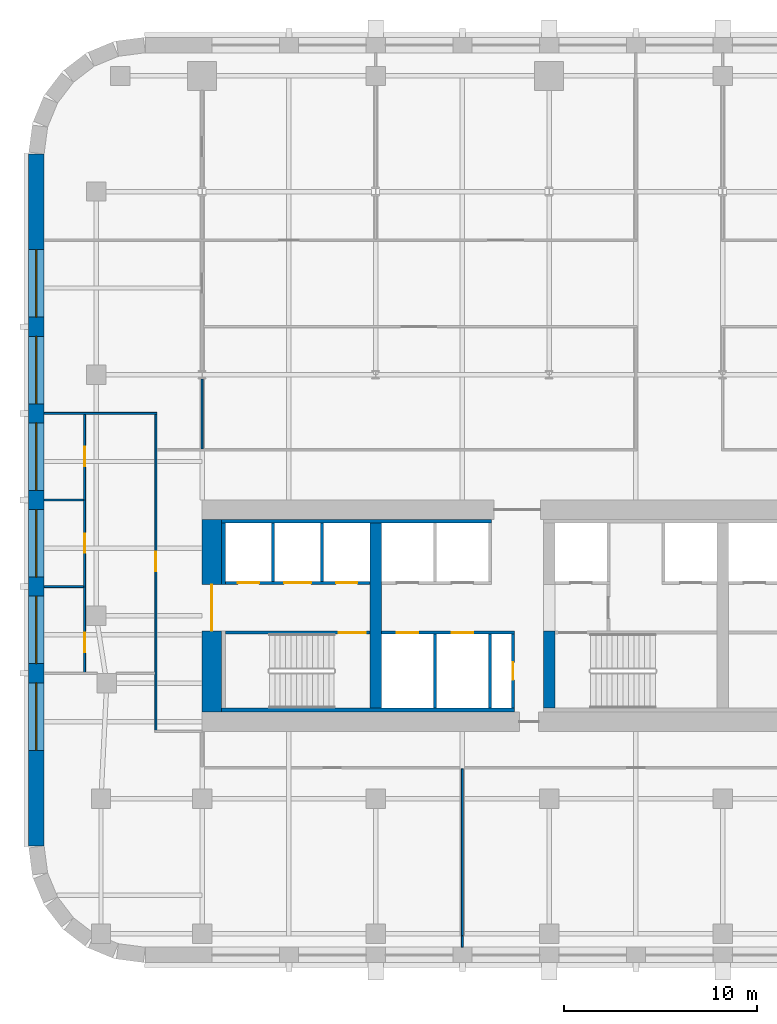
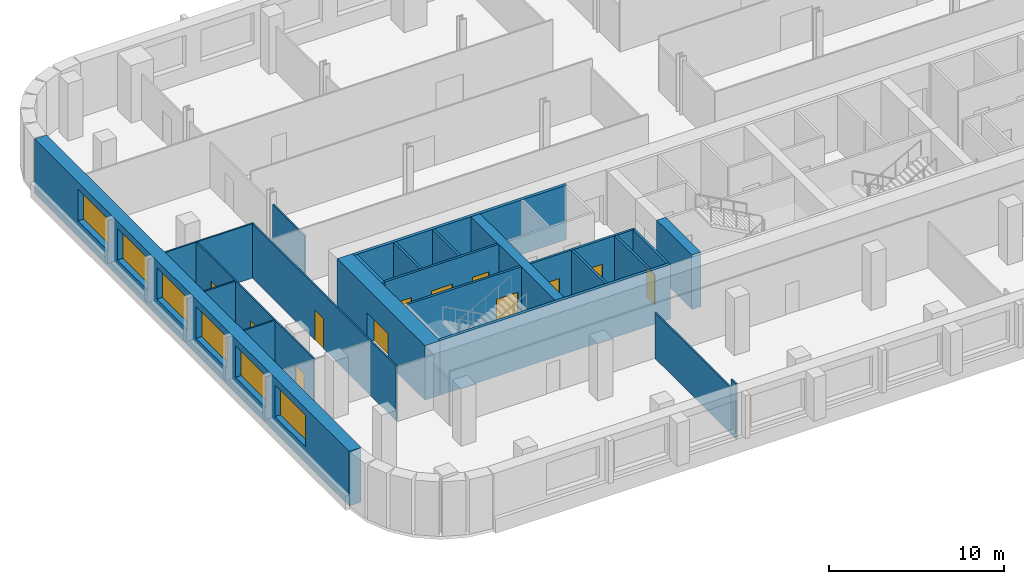
# One storey, part 3 of 10: 23 walls, 12 doors, 6 windows, 18 openings.
"""IFC4 building model written with IfcOpenShell, lengths in metres."""

from ifc_helpers import new_model, si_unit, direction, frame, frame_2d, origin, place, context, subcontext, project, spatial, rectangle, extrude, material, layer, layer_set, type_object, element, fill, save


model = new_model("IFC4")

# Units and contexts
model_context = context("Model", 3, precision=1e-05, world=origin(), true_north=direction((0.0, 1.0)))
body_context = subcontext(model_context, "Body", "Model", "MODEL_VIEW")
ifc_project = project(units=[si_unit("LENGTHUNIT", "METRE"), si_unit("AREAUNIT", "SQUARE_METRE"), si_unit("VOLUMEUNIT", "CUBIC_METRE"), si_unit("PLANEANGLEUNIT", "RADIAN"), si_unit("MASSUNIT", "GRAM", prefix="KILO")], contexts=[model_context])

# Site, building, storey
site_placement = place(None, origin())
site = spatial("IfcSite", under=ifc_project, at=site_placement, CompositionType="ELEMENT")
building_placement = place(site_placement, origin())
building = spatial("IfcBuilding", under=site, at=building_placement, Name="Zellij Exchange Tower", CompositionType="ELEMENT")
storey_placement = place(building_placement, frame((0.0, 0.0, 124.5)))
storey = spatial("IfcBuildingStorey", under=building, at=storey_placement, Name="L27", CompositionType="ELEMENT", Elevation=124.5)

# Walls
ifc_material_1 = material(Name="Concrete C70/85", Category="concrete")
ifc_layer_1 = layer(ifc_material_1, 0.60009765625)
ifc_layer_set_1 = layer_set([ifc_layer_1], Name="Concrete C70/85")
wall_type_1 = type_object("IfcWallType", Name="CORE-CW 600 C70/85", PredefinedType="SHEAR", material=ifc_layer_set_1)
wall_1_placement = place(storey_placement, frame((-18.0, -12.800048828125, 0.0), z_axis=(0.0, 0.0, 1.0), x_axis=(0.0, 1.0, 0.0)))
element("IfcWall", 1, at=wall_1_placement, inside=storey, type_object=wall_type_1, Name="Core cross wall x -18 L27", PredefinedType="SHEAR", context=body_context, shape_type="SweptSolid", body=[
    extrude(rectangle(XDim=9.60009765625, YDim=0.60009765625, at=frame_2d((4.800048828125, 0.0))), origin(), (0.0, 0.0, 1.0), 3.800048828125),
])
wall_2_placement = place(storey_placement, frame((-9.0, -12.800048828125, 0.0), z_axis=(0.0, 0.0, 1.0), x_axis=(0.0, 1.0, 0.0)))
element("IfcWall", 2, at=wall_2_placement, inside=storey, type_object=wall_type_1, Name="Core cross wall pier x -9 a L27", PredefinedType="SHEAR", context=body_context, shape_type="SweptSolid", body=[
    extrude(rectangle(XDim=4.0, YDim=0.60009765625, at=frame_2d((2.0, 0.0))), origin(), (0.0, 0.0, 1.0), 3.800048828125),
])
ifc_material_2 = material(Name="Concrete C30/37", Category="concrete")
ifc_layer_2 = layer(ifc_material_2, 0.199951171875)
ifc_layer_set_2 = layer_set([ifc_layer_2], Name="Concrete C30/37")
wall_type_2 = type_object("IfcWallType", Name="CORE-LW 200 C30/37", PredefinedType="SHEAR", material=ifc_layer_set_2)
wall_3_placement = place(storey_placement, frame((-26.0, -3.10009765625, 0.0), z_axis=(0.0, 0.0, 1.0), x_axis=(1.0, 0.0, 0.0)))
element("IfcWall", 3, at=wall_3_placement, inside=storey, type_object=wall_type_2, Name="Core wall lining front.0 L27", PredefinedType="SHEAR", context=body_context, shape_type="SweptSolid", body=[
    extrude(rectangle(XDim=14.0, YDim=0.199951171875, at=frame_2d((7.0, 0.0))), origin(), (0.0, 0.0, 1.0), 3.800048828125),
])
wall_4_placement = place(storey_placement, frame((-26.0, -12.89990234375, 0.0), z_axis=(0.0, 0.0, 1.0), x_axis=(1.0, 0.0, 0.0)))
element("IfcWall", 4, at=wall_4_placement, inside=storey, type_object=wall_type_2, Name="Core wall lining rear.0 L27", PredefinedType="SHEAR", context=body_context, shape_type="SweptSolid", body=[
    extrude(rectangle(XDim=15.199951171875, YDim=0.199951171875, at=frame_2d((7.60009765625, 0.0))), origin(), (0.0, 0.0, 1.0), 3.800048828125),
])
wall_5_placement = place(storey_placement, frame((-25.89990234375, -6.375, 0.0), z_axis=(0.0, 0.0, 1.0), x_axis=(0.0, 1.0, 0.0)))
element("IfcWall", 5, at=wall_5_placement, inside=storey, type_object=wall_type_2, Name="Core wall lining end w.1 L27", PredefinedType="SHEAR", context=body_context, shape_type="SweptSolid", body=[
    extrude(rectangle(XDim=3.175048828125, YDim=0.199951171875, at=frame_2d((1.58740234375, 0.0))), origin(), (0.0, 0.0, 1.0), 3.800048828125),
])

# Wall, opening, door
ifc_material_3 = material(Name="Gypsum board partition")
ifc_layer_3 = layer(ifc_material_3, 0.14990234375)
ifc_layer_set_3 = layer_set([ifc_layer_3], Name="Gypsum board partition")
wall_type_3 = type_object("IfcWallType", Name="CORE-PW 150 Lift lobby wall", PredefinedType="PARTITIONING", material=ifc_layer_set_3)
wall_6_placement = place(storey_placement, frame((-10.875, -12.800048828125, 0.0), z_axis=(0.0, 0.0, 1.0), x_axis=(0.0, 1.0, 0.0)))
wall_6 = element("IfcWall", 6, at=wall_6_placement, inside=storey, type_object=wall_type_3, Name="Lift lobby wall L27", PredefinedType="PARTITIONING", context=body_context, shape_type="SweptSolid", body=[
    extrude(rectangle(XDim=3.85009765625, YDim=0.14990234375, at=frame_2d((1.925048828125, 0.0))), origin(), (0.0, 0.0, 1.0), 3.800048828125),
])
opening_1_placement = place(wall_6_placement, frame((1.47509765625, 0.0, 0.0)))
opening_1 = element("IfcOpeningElement", 7, at=opening_1_placement, cuts=wall_6, Name="Opening CA-15.10", PredefinedType="OPENING", context=body_context, shape_type="SweptSolid", body=[
    extrude(rectangle(XDim=0.89990234375, YDim=2.10009765625, at=frame_2d((0.449951171875, 1.050048828125))), frame((0.0, 0.0869140625, 0.0), z_axis=(0.0, -1.0, 0.0), x_axis=(1.0, 0.0, 0.0)), (0.0, 0.0, 1.0), 0.173828125),
])
ifc_material_4 = material(Name="Hollow metal fire door")
door_type_1 = type_object("IfcDoorType", Name="CORE-D RD Riser door 900x2100 1.5 HR", OperationType="NOTDEFINED", PredefinedType="DOOR", material=ifc_material_4)
door_1_placement = place(opening_1_placement, origin())
door_1 = element("IfcDoor", 8, at=door_1_placement, inside=storey, type_object=door_type_1, Name="Riser door CA-15.10", OperationType="SINGLE_SWING_RIGHT", OverallHeight=2.10009765625, OverallWidth=0.89990234375, PredefinedType="DOOR", context=body_context, shape_type="SweptSolid", body=[
    extrude(rectangle(XDim=0.89990234375, YDim=2.10009765625, at=frame_2d((0.449951171875, 1.050048828125))), frame((0.0, 0.02490234375, 0.0), z_axis=(0.0, -1.0, 0.0), x_axis=(1.0, 0.0, 0.0)), (0.0, 0.0, 1.0), 0.050048828125),
])
fill(opening_1, door_1)

# Walls
ifc_material_5 = material(Name="Gypsum shaft wall system")
ifc_layer_4 = layer(ifc_material_5, 0.14990234375)
ifc_layer_set_4 = layer_set([ifc_layer_4], Name="Gypsum shaft wall system")
wall_type_4 = type_object("IfcWallType", Name="CORE-PW 150 Lift shaft wall", PredefinedType="PARTITIONING", material=ifc_layer_set_4)
for number, where, z_axis, x_axis, name in (
    (9, (-20.77490234375, -6.22509765625, 0.0), (0.0, 0.0, 1.0), (0.0, 1.0, 0.0), "Lift shaft wall L27"),
    (10, (-23.324951171875, -6.22509765625, 0.0), (0.0, 0.0, 1.0), (0.0, 1.0, 0.0), "Lift shaft wall L27"),
):
    element("IfcWall", number, at=place(storey_placement, frame(where, z_axis=z_axis, x_axis=x_axis)), inside=storey, type_object=wall_type_4, Name=name, PredefinedType="PARTITIONING", context=body_context, shape_type="SweptSolid", body=[
        extrude(rectangle(XDim=3.025146484375, YDim=0.14990234375, at=frame_2d((1.5126953125, 0.0))), origin(), (0.0, 0.0, 1.0), 3.800048828125),
    ])
for number, where, z_axis, x_axis, name in (
    (11, (-12.074951171875, -12.800048828125, 0.0), (0.0, 0.0, 1.0), (0.0, 1.0, 0.0), "Lift shaft wall L27"),
    (12, (-14.925048828125, -12.800048828125, 0.0), (0.0, 0.0, 1.0), (0.0, 1.0, 0.0), "Lift shaft wall L27"),
):
    element("IfcWall", number, at=place(storey_placement, frame(where, z_axis=z_axis, x_axis=x_axis)), inside=storey, type_object=wall_type_4, Name=name, PredefinedType="PARTITIONING", context=body_context, shape_type="SweptSolid", body=[
        extrude(rectangle(XDim=3.85009765625, YDim=0.14990234375, at=frame_2d((1.925048828125, 0.0))), origin(), (0.0, 0.0, 1.0), 3.800048828125),
    ])

# Wall, openings, doors
wall_7_placement = place(storey_placement, frame((-25.800048828125, -6.300048828125, 0.0), z_axis=(0.0, 0.0, 1.0), x_axis=(1.0, 0.0, 0.0)))
wall_7 = element("IfcWall", 13, at=wall_7_placement, inside=storey, type_object=wall_type_4, Name="Lift shaft wall L27", PredefinedType="PARTITIONING", context=body_context, shape_type="SweptSolid", body=[
    extrude(rectangle(XDim=7.5, YDim=0.14990234375, at=frame_2d((3.75, 0.0))), origin(), (0.0, 0.0, 1.0), 3.800048828125),
])
opening_2_placement = place(wall_7_placement, frame((0.64990234375, 0.0, 0.0)))
opening_2 = element("IfcOpeningElement", 14, at=opening_2_placement, cuts=wall_7, Name="Opening CA-15.02", PredefinedType="OPENING", context=body_context, shape_type="SweptSolid", body=[
    extrude(rectangle(XDim=1.10009765625, YDim=2.10009765625, at=frame_2d((0.550048828125, 1.050048828125))), frame((0.0, 0.0869140625, 0.0), z_axis=(0.0, -1.0, 0.0), x_axis=(1.0, 0.0, 0.0)), (0.0, 0.0, 1.0), 0.173828125),
])
opening_3_placement = place(wall_7_placement, frame((3.050048828125, 0.0, 0.0)))
opening_3 = element("IfcOpeningElement", 15, at=opening_3_placement, cuts=wall_7, Name="Opening CA-15.03", PredefinedType="OPENING", context=body_context, shape_type="SweptSolid", body=[
    extrude(rectangle(XDim=1.39990234375, YDim=2.10009765625, at=frame_2d((0.699951171875, 1.050048828125))), frame((0.0, 0.0869140625, 0.0), z_axis=(0.0, -1.0, 0.0), x_axis=(1.0, 0.0, 0.0)), (0.0, 0.0, 1.0), 0.173828125),
])
opening_4_placement = place(wall_7_placement, frame((5.75, 0.0, 0.0)))
opening_4 = element("IfcOpeningElement", 16, at=opening_4_placement, cuts=wall_7, Name="Opening CA-15.04", PredefinedType="OPENING", context=body_context, shape_type="SweptSolid", body=[
    extrude(rectangle(XDim=1.10009765625, YDim=2.10009765625, at=frame_2d((0.550048828125, 1.050048828125))), frame((0.0, 0.0869140625, 0.0), z_axis=(0.0, -1.0, 0.0), x_axis=(1.0, 0.0, 0.0)), (0.0, 0.0, 1.0), 0.173828125),
])
door_type_2 = type_object("IfcDoorType", Name="CORE-D LD Lift landing door 1100x2100 1.5 HR", OperationType="NOTDEFINED", PredefinedType="DOOR", material=ifc_material_4)
door_2_placement = place(opening_2_placement, origin())
door_2 = element("IfcDoor", 17, at=door_2_placement, inside=storey, type_object=door_type_2, Name="Lift landing door CA-15.02", OperationType="SLIDING_TO_RIGHT", OverallHeight=2.10009765625, OverallWidth=1.10009765625, PredefinedType="DOOR", context=body_context, shape_type="SweptSolid", body=[
    extrude(rectangle(XDim=1.10009765625, YDim=2.10009765625, at=frame_2d((0.550048828125, 1.050048828125))), frame((0.0, 0.02490234375, 0.0), z_axis=(0.0, -1.0, 0.0), x_axis=(1.0, 0.0, 0.0)), (0.0, 0.0, 1.0), 0.050048828125),
])
fill(opening_2, door_2)
door_3_placement = place(opening_4_placement, origin())
door_3 = element("IfcDoor", 18, at=door_3_placement, inside=storey, type_object=door_type_2, Name="Lift landing door CA-15.04", OperationType="SLIDING_TO_RIGHT", OverallHeight=2.10009765625, OverallWidth=1.10009765625, PredefinedType="DOOR", context=body_context, shape_type="SweptSolid", body=[
    extrude(rectangle(XDim=1.10009765625, YDim=2.10009765625, at=frame_2d((0.550048828125, 1.050048828125))), frame((0.0, 0.02490234375, 0.0), z_axis=(0.0, -1.0, 0.0), x_axis=(1.0, 0.0, 0.0)), (0.0, 0.0, 1.0), 0.050048828125),
])
fill(opening_4, door_3)
door_type_3 = type_object("IfcDoorType", Name="CORE-D LD2 Service lift landing door 1400x2100 1.5 HR", OperationType="NOTDEFINED", PredefinedType="DOOR", material=ifc_material_4)
door_4_placement = place(opening_3_placement, origin())
door_4 = element("IfcDoor", 19, at=door_4_placement, inside=storey, type_object=door_type_3, Name="Service lift landing door CA-15.03", OperationType="SLIDING_TO_LEFT", OverallHeight=2.10009765625, OverallWidth=1.39990234375, PredefinedType="DOOR", context=body_context, shape_type="SweptSolid", body=[
    extrude(rectangle(XDim=1.39990234375, YDim=2.10009765625, at=frame_2d((0.699951171875, 1.050048828125))), frame((0.0, 0.02490234375, 0.0), z_axis=(0.0, -1.0, 0.0), x_axis=(1.0, 0.0, 0.0)), (0.0, 0.0, 1.0), 0.050048828125),
])
fill(opening_3, door_4)

wall_8_placement = place(storey_placement, frame((-17.699951171875, -8.875, 0.0), z_axis=(0.0, 0.0, 1.0), x_axis=(1.0, 0.0, 0.0)))
wall_8 = element("IfcWall", 20, at=wall_8_placement, inside=storey, type_object=wall_type_4, Name="Lift shaft wall L27", PredefinedType="PARTITIONING", context=body_context, shape_type="SweptSolid", body=[
    extrude(rectangle(XDim=6.89990234375, YDim=0.14990234375, at=frame_2d((3.449951171875, 0.0))), origin(), (0.0, 0.0, 1.0), 3.800048828125),
])
opening_5_placement = place(wall_8_placement, frame((0.800048828125, 0.0, 0.0)))
opening_5 = element("IfcOpeningElement", 21, at=opening_5_placement, cuts=wall_8, Name="Opening CA-15.06", PredefinedType="OPENING", context=body_context, shape_type="SweptSolid", body=[
    extrude(rectangle(XDim=1.10009765625, YDim=2.10009765625, at=frame_2d((0.550048828125, 1.050048828125))), frame((0.0, 0.0869140625, 0.0), z_axis=(0.0, -1.0, 0.0), x_axis=(1.0, 0.0, 0.0)), (0.0, 0.0, 1.0), 0.173828125),
])
opening_6_placement = place(wall_8_placement, frame((3.64990234375, 0.0, 0.0)))
opening_6 = element("IfcOpeningElement", 22, at=opening_6_placement, cuts=wall_8, Name="Opening CA-15.08", PredefinedType="OPENING", context=body_context, shape_type="SweptSolid", body=[
    extrude(rectangle(XDim=1.10009765625, YDim=2.10009765625, at=frame_2d((0.550048828125, 1.050048828125))), frame((0.0, 0.0869140625, 0.0), z_axis=(0.0, -1.0, 0.0), x_axis=(1.0, 0.0, 0.0)), (0.0, 0.0, 1.0), 0.173828125),
])
door_5_placement = place(opening_5_placement, origin())
door_5 = element("IfcDoor", 23, at=door_5_placement, inside=storey, type_object=door_type_2, Name="Lift landing door CA-15.06", OperationType="SLIDING_TO_RIGHT", OverallHeight=2.10009765625, OverallWidth=1.10009765625, PredefinedType="DOOR", context=body_context, shape_type="SweptSolid", body=[
    extrude(rectangle(XDim=1.10009765625, YDim=2.10009765625, at=frame_2d((0.550048828125, 1.050048828125))), frame((0.0, 0.02490234375, 0.0), z_axis=(0.0, -1.0, 0.0), x_axis=(1.0, 0.0, 0.0)), (0.0, 0.0, 1.0), 0.050048828125),
])
fill(opening_5, door_5)
door_6_placement = place(opening_6_placement, origin())
door_6 = element("IfcDoor", 24, at=door_6_placement, inside=storey, type_object=door_type_2, Name="Lift landing door CA-15.08", OperationType="SLIDING_TO_RIGHT", OverallHeight=2.10009765625, OverallWidth=1.10009765625, PredefinedType="DOOR", context=body_context, shape_type="SweptSolid", body=[
    extrude(rectangle(XDim=1.10009765625, YDim=2.10009765625, at=frame_2d((0.550048828125, 1.050048828125))), frame((0.0, 0.02490234375, 0.0), z_axis=(0.0, -1.0, 0.0), x_axis=(1.0, 0.0, 0.0)), (0.0, 0.0, 1.0), 0.050048828125),
])
fill(opening_6, door_6)

# Wall, opening, door
ifc_layer_5 = layer(ifc_material_1, 1.0)
ifc_layer_set_5 = layer_set([ifc_layer_5], Name="Concrete C70/85")
wall_type_5 = type_object("IfcWallType", Name="CORE-SW 1000 C70/85", PredefinedType="SHEAR", material=ifc_layer_set_5)
wall_9_placement = place(storey_placement, frame((-26.5, -13.0, 0.0), z_axis=(0.0, 0.0, 1.0), x_axis=(0.0, 1.0, 0.0)))
wall_9 = element("IfcWall", 25, at=wall_9_placement, inside=storey, type_object=wall_type_5, Name="Core shear wall end w L27", PredefinedType="SHEAR", context=body_context, shape_type="SweptSolid", body=[
    extrude(rectangle(XDim=10.0, YDim=1.0, at=frame_2d((5.0, 0.0))), origin(), (0.0, 0.0, 1.0), 3.800048828125),
])
opening_7_placement = place(wall_9_placement, frame((4.2119140625, 0.0, 0.0)))
opening_7 = element("IfcOpeningElement", 26, at=opening_7_placement, cuts=wall_9, Name="Opening CA-15.01", PredefinedType="OPENING", context=body_context, shape_type="SweptSolid", body=[
    extrude(rectangle(XDim=2.39990234375, YDim=2.10009765625, at=frame_2d((1.199951171875, 1.050048828125))), frame((0.0, 0.511962890625, 0.0), z_axis=(0.0, -1.0, 0.0), x_axis=(1.0, 0.0, 0.0)), (0.0, 0.0, 1.0), 1.02392578125),
])
door_type_4 = type_object("IfcDoorType", Name="CORE-D CE Core entrance door 2400x2100 20 MIN", OperationType="NOTDEFINED", PredefinedType="DOOR", material=ifc_material_4)
door_7_placement = place(opening_7_placement, origin())
door_7 = element("IfcDoor", 27, at=door_7_placement, inside=storey, type_object=door_type_4, Name="Core entrance door CA-15.01", OperationType="DOUBLE_DOOR_SINGLE_SWING", OverallHeight=2.10009765625, OverallWidth=2.39990234375, PredefinedType="DOOR", context=body_context, shape_type="SweptSolid", body=[
    extrude(rectangle(XDim=2.39990234375, YDim=2.10009765625, at=frame_2d((1.199951171875, 1.050048828125))), frame((0.0, 0.02490234375, 0.0), z_axis=(0.0, -1.0, 0.0), x_axis=(1.0, 0.0, 0.0)), (0.0, 0.0, 1.0), 0.050048828125),
])
fill(opening_7, door_7)

ifc_layer_6 = layer(ifc_material_1, 0.14990234375)
ifc_layer_set_6 = layer_set([ifc_layer_6], Name="Concrete C70/85")
wall_type_6 = type_object("IfcWallType", Name="CORE-SWS 150 C70/85", PredefinedType="SHEAR", material=ifc_layer_set_6)
wall_10_placement = place(storey_placement, frame((-25.800048828125, -8.875, 0.0), z_axis=(0.0, 0.0, 1.0), x_axis=(1.0, 0.0, 0.0)))
wall_10 = element("IfcWall", 28, at=wall_10_placement, inside=storey, type_object=wall_type_6, Name="Stair enclosure wall L27", PredefinedType="SHEAR", context=body_context, shape_type="SweptSolid", body=[
    extrude(rectangle(XDim=7.5, YDim=0.14990234375, at=frame_2d((3.75, 0.0))), origin(), (0.0, 0.0, 1.0), 3.800048828125),
])
opening_8_placement = place(wall_10_placement, frame((5.875, 0.0, 0.0)))
opening_8 = element("IfcOpeningElement", 29, at=opening_8_placement, cuts=wall_10, Name="Opening CA-15.05", PredefinedType="OPENING", context=body_context, shape_type="SweptSolid", body=[
    extrude(rectangle(XDim=1.39990234375, YDim=2.10009765625, at=frame_2d((0.699951171875, 1.050048828125))), frame((0.0, 0.0869140625, 0.0), z_axis=(0.0, -1.0, 0.0), x_axis=(1.0, 0.0, 0.0)), (0.0, 0.0, 1.0), 0.173828125),
])
door_type_5 = type_object("IfcDoorType", Name="CORE-D SD Stair door 1400x2100 1.5 HR", OperationType="NOTDEFINED", PredefinedType="DOOR", material=ifc_material_4)
door_8_placement = place(opening_8_placement, origin())
door_8 = element("IfcDoor", 30, at=door_8_placement, inside=storey, type_object=door_type_5, Name="Stair door CA-15.05", OperationType="DOUBLE_DOOR_SINGLE_SWING", OverallHeight=2.10009765625, OverallWidth=1.39990234375, PredefinedType="DOOR", context=body_context, shape_type="SweptSolid", body=[
    extrude(rectangle(XDim=1.39990234375, YDim=2.10009765625, at=frame_2d((0.699951171875, 1.050048828125))), frame((0.0, 0.02490234375, 0.0), z_axis=(0.0, -1.0, 0.0), x_axis=(1.0, 0.0, 0.0)), (0.0, 0.0, 1.0), 0.050048828125),
])
fill(opening_8, door_8)

# Wall, openings, windows
ifc_material_6 = material(Name="Precast concrete C40/50", Category="concrete")
ifc_layer_7 = layer(ifc_material_6, 0.800048828125)
ifc_layer_set_7 = layer_set([ifc_layer_7], Name="Precast concrete C40/50")
wall_type_7 = type_object("IfcWallType", Name="ENV-EW1 Precast stone-piered wall 800", PredefinedType="SOLIDWALL", material=ifc_layer_set_7)
wall_11_placement = place(storey_placement, frame((-35.60009765625, 15.947509765625, 0.0), z_axis=(0.0, 0.0, 1.0), x_axis=(0.0, -1.0, 0.0)))
wall_11 = element("IfcWall", 31, at=wall_11_placement, inside=storey, type_object=wall_type_7, Name="fac.L27.26", PredefinedType="SOLIDWALL", context=body_context, shape_type="SweptSolid", body=[
    extrude(rectangle(XDim=35.89501953125, YDim=0.800048828125, at=frame_2d((17.947509765625, 0.0))), origin(), (0.0, 0.0, 1.0), 3.800048828125),
])
opening_9_placement = place(wall_11_placement, frame((4.9638671875, 0.0, 1.10009765625)))
opening_9 = element("IfcOpeningElement", 32, at=opening_9_placement, cuts=wall_11, Name="Opening FZ2.31", PredefinedType="OPENING", context=body_context, shape_type="SweptSolid", body=[
    extrude(rectangle(XDim=3.5, YDim=2.199951171875, at=frame_2d((1.75, 1.10009765625))), frame((0.0, 0.412109375, 0.0), z_axis=(0.0, -1.0, 0.0), x_axis=(1.0, 0.0, 0.0)), (0.0, 0.0, 1.0), 0.823974609375),
])
opening_10_placement = place(wall_11_placement, frame((9.45751953125, 0.0, 1.10009765625)))
opening_10 = element("IfcOpeningElement", 33, at=opening_10_placement, cuts=wall_11, Name="Opening FZ2.32", PredefinedType="OPENING", context=body_context, shape_type="SweptSolid", body=[
    extrude(rectangle(XDim=3.5, YDim=2.199951171875, at=frame_2d((1.75, 1.10009765625))), frame((0.0, 0.412109375, 0.0), z_axis=(0.0, -1.0, 0.0), x_axis=(1.0, 0.0, 0.0)), (0.0, 0.0, 1.0), 0.823974609375),
])
opening_11_placement = place(wall_11_placement, frame((13.950927734375, 0.0, 1.10009765625)))
opening_11 = element("IfcOpeningElement", 34, at=opening_11_placement, cuts=wall_11, Name="Opening FZ2.33", PredefinedType="OPENING", context=body_context, shape_type="SweptSolid", body=[
    extrude(rectangle(XDim=3.5, YDim=2.199951171875, at=frame_2d((1.75, 1.10009765625))), frame((0.0, 0.412109375, 0.0), z_axis=(0.0, -1.0, 0.0), x_axis=(1.0, 0.0, 0.0)), (0.0, 0.0, 1.0), 0.823974609375),
])
opening_12_placement = place(wall_11_placement, frame((18.4443359375, 0.0, 1.10009765625)))
opening_12 = element("IfcOpeningElement", 35, at=opening_12_placement, cuts=wall_11, Name="Opening FZ2.34", PredefinedType="OPENING", context=body_context, shape_type="SweptSolid", body=[
    extrude(rectangle(XDim=3.5, YDim=2.199951171875, at=frame_2d((1.75, 1.10009765625))), frame((0.0, 0.412109375, 0.0), z_axis=(0.0, -1.0, 0.0), x_axis=(1.0, 0.0, 0.0)), (0.0, 0.0, 1.0), 0.823974609375),
])
opening_13_placement = place(wall_11_placement, frame((22.937744140625, 0.0, 1.10009765625)))
opening_13 = element("IfcOpeningElement", 36, at=opening_13_placement, cuts=wall_11, Name="Opening FZ2.35", PredefinedType="OPENING", context=body_context, shape_type="SweptSolid", body=[
    extrude(rectangle(XDim=3.5, YDim=2.199951171875, at=frame_2d((1.75, 1.10009765625))), frame((0.0, 0.412109375, 0.0), z_axis=(0.0, -1.0, 0.0), x_axis=(1.0, 0.0, 0.0)), (0.0, 0.0, 1.0), 0.823974609375),
])
opening_14_placement = place(wall_11_placement, frame((27.43115234375, 0.0, 1.10009765625)))
opening_14 = element("IfcOpeningElement", 37, at=opening_14_placement, cuts=wall_11, Name="Opening FZ2.36", PredefinedType="OPENING", context=body_context, shape_type="SweptSolid", body=[
    extrude(rectangle(XDim=3.5, YDim=2.199951171875, at=frame_2d((1.75, 1.10009765625))), frame((0.0, 0.412109375, 0.0), z_axis=(0.0, -1.0, 0.0), x_axis=(1.0, 0.0, 0.0)), (0.0, 0.0, 1.0), 0.823974609375),
])
ifc_material_7 = material(Name="Aluminium frame with insulating glass", Category="aluminium")
window_type = type_object("IfcWindowType", Name="ENV-W7 Window 3500x2200", PartitioningType="SINGLE_PANEL", PredefinedType="WINDOW", material=ifc_material_7)
window_1_placement = place(opening_9_placement, origin())
window_1 = element("IfcWindow", 38, at=window_1_placement, inside=storey, type_object=window_type, Name="Window FZ2.31", OverallHeight=2.199951171875, OverallWidth=3.5, PartitioningType="SINGLE_PANEL", PredefinedType="WINDOW", context=body_context, shape_type="SweptSolid", body=[
    extrude(rectangle(XDim=3.5, YDim=2.199951171875, at=frame_2d((1.75, 1.10009765625))), frame((0.0, 0.030029296875, 0.0), z_axis=(0.0, -1.0, 0.0), x_axis=(1.0, 0.0, 0.0)), (0.0, 0.0, 1.0), 0.06005859375),
])
fill(opening_9, window_1)
window_2_placement = place(opening_10_placement, origin())
window_2 = element("IfcWindow", 39, at=window_2_placement, inside=storey, type_object=window_type, Name="Window FZ2.32", OverallHeight=2.199951171875, OverallWidth=3.5, PartitioningType="SINGLE_PANEL", PredefinedType="WINDOW", context=body_context, shape_type="SweptSolid", body=[
    extrude(rectangle(XDim=3.5, YDim=2.199951171875, at=frame_2d((1.75, 1.10009765625))), frame((0.0, 0.030029296875, 0.0), z_axis=(0.0, -1.0, 0.0), x_axis=(1.0, 0.0, 0.0)), (0.0, 0.0, 1.0), 0.06005859375),
])
fill(opening_10, window_2)
window_3_placement = place(opening_11_placement, origin())
window_3 = element("IfcWindow", 40, at=window_3_placement, inside=storey, type_object=window_type, Name="Window FZ2.33", OverallHeight=2.199951171875, OverallWidth=3.5, PartitioningType="SINGLE_PANEL", PredefinedType="WINDOW", context=body_context, shape_type="SweptSolid", body=[
    extrude(rectangle(XDim=3.5, YDim=2.199951171875, at=frame_2d((1.75, 1.10009765625))), frame((0.0, 0.030029296875, 0.0), z_axis=(0.0, -1.0, 0.0), x_axis=(1.0, 0.0, 0.0)), (0.0, 0.0, 1.0), 0.06005859375),
])
fill(opening_11, window_3)
window_4_placement = place(opening_12_placement, origin())
window_4 = element("IfcWindow", 41, at=window_4_placement, inside=storey, type_object=window_type, Name="Window FZ2.34", OverallHeight=2.199951171875, OverallWidth=3.5, PartitioningType="SINGLE_PANEL", PredefinedType="WINDOW", context=body_context, shape_type="SweptSolid", body=[
    extrude(rectangle(XDim=3.5, YDim=2.199951171875, at=frame_2d((1.75, 1.10009765625))), frame((0.0, 0.030029296875, 0.0), z_axis=(0.0, -1.0, 0.0), x_axis=(1.0, 0.0, 0.0)), (0.0, 0.0, 1.0), 0.06005859375),
])
fill(opening_12, window_4)
window_5_placement = place(opening_13_placement, origin())
window_5 = element("IfcWindow", 42, at=window_5_placement, inside=storey, type_object=window_type, Name="Window FZ2.35", OverallHeight=2.199951171875, OverallWidth=3.5, PartitioningType="SINGLE_PANEL", PredefinedType="WINDOW", context=body_context, shape_type="SweptSolid", body=[
    extrude(rectangle(XDim=3.5, YDim=2.199951171875, at=frame_2d((1.75, 1.10009765625))), frame((0.0, 0.030029296875, 0.0), z_axis=(0.0, -1.0, 0.0), x_axis=(1.0, 0.0, 0.0)), (0.0, 0.0, 1.0), 0.06005859375),
])
fill(opening_13, window_5)
window_6_placement = place(opening_14_placement, origin())
window_6 = element("IfcWindow", 43, at=window_6_placement, inside=storey, type_object=window_type, Name="Window FZ2.36", OverallHeight=2.199951171875, OverallWidth=3.5, PartitioningType="SINGLE_PANEL", PredefinedType="WINDOW", context=body_context, shape_type="SweptSolid", body=[
    extrude(rectangle(XDim=3.5, YDim=2.199951171875, at=frame_2d((1.75, 1.10009765625))), frame((0.0, 0.030029296875, 0.0), z_axis=(0.0, -1.0, 0.0), x_axis=(1.0, 0.0, 0.0)), (0.0, 0.0, 1.0), 0.06005859375),
])
fill(opening_14, window_6)

# Walls
ifc_material_8 = material(Name="Gypsum board partition on steel studs", Category="steel")
ifc_layer_8 = layer(ifc_material_8, 0.10009765625)
ifc_layer_set_8 = layer_set([ifc_layer_8], Name="Gypsum board partition on steel studs")
wall_type_8 = type_object("IfcWallType", Name="FIT-PARTITION-100", PredefinedType="PARTITIONING", material=ifc_layer_set_8)
wall_12_placement = place(storey_placement, frame((-13.5, -25.199951171875, 0.0), z_axis=(0.0, 0.0, 1.0), x_axis=(0.0, 1.0, 0.0)))
element("IfcWall", 44, at=wall_12_placement, inside=storey, type_object=wall_type_8, Name="FIT-PARTITION-100 001", PredefinedType="PARTITIONING", context=body_context, shape_type="SweptSolid", body=[
    extrude(rectangle(XDim=0.58544921875, YDim=0.10009765625, at=frame_2d((0.292724609375, 0.0))), origin(), (0.0, 0.0, 1.0), 3.800048828125),
])
wall_13_placement = place(storey_placement, frame((-13.5, -24.614501953125, 0.0), z_axis=(0.0, 0.0, 1.0), x_axis=(0.0, 1.0, 0.0)))
element("IfcWall", 45, at=wall_13_placement, inside=storey, type_object=wall_type_8, Name="FIT-PARTITION-100 002", PredefinedType="PARTITIONING", context=body_context, shape_type="SweptSolid", body=[
    extrude(rectangle(XDim=8.66455078125, YDim=0.10009765625, at=frame_2d((4.332275390625, 0.0))), origin(), (0.0, 0.0, 1.0), 3.197998046875),
])

# Wall, opening, door
wall_14_placement = place(storey_placement, frame((-29.39990234375, -13.949951171875, 0.0), z_axis=(0.0, 0.0, 1.0), x_axis=(0.0, 1.0, 0.0)))
wall_14 = element("IfcWall", 46, at=wall_14_placement, inside=storey, type_object=wall_type_8, Name="FIT-PARTITION-100 011", PredefinedType="PARTITIONING", context=body_context, shape_type="SweptSolid", body=[
    extrude(rectangle(XDim=16.389892578125, YDim=0.10009765625, at=frame_2d((8.19482421875, 0.0))), origin(), (0.0, 0.0, 1.0), 3.800048828125),
])
opening_15_placement = place(wall_14_placement, frame((8.260009765625, 0.0, 0.0)))
opening_15 = element("IfcOpeningElement", 47, at=opening_15_placement, cuts=wall_14, Name="Opening TF.07", PredefinedType="OPENING", context=body_context, shape_type="SweptSolid", body=[
    extrude(rectangle(XDim=1.0, YDim=2.10009765625, at=frame_2d((0.5, 1.050048828125))), frame((0.0, 0.06201171875, 0.0), z_axis=(0.0, -1.0, 0.0), x_axis=(1.0, 0.0, 0.0)), (0.0, 0.0, 1.0), 0.1240234375),
])
ifc_material_9 = material(Name="Timber door set", Category="wood")
door_type_6 = type_object("IfcDoorType", Name="FIT-D2-WIDE-1000X2100", OperationType="SINGLE_SWING_LEFT", PredefinedType="DOOR", material=ifc_material_9)
door_9_placement = place(opening_15_placement, origin())
door_9 = element("IfcDoor", 48, at=door_9_placement, inside=storey, type_object=door_type_6, Name="Door TF.07", OperationType="SINGLE_SWING_RIGHT", OverallHeight=2.10009765625, OverallWidth=1.0, PredefinedType="DOOR", context=body_context, shape_type="SweptSolid", body=[
    extrude(rectangle(XDim=1.0, YDim=2.10009765625, at=frame_2d((0.5, 1.050048828125))), frame((0.0, 0.02490234375, 0.0), z_axis=(0.0, -1.0, 0.0), x_axis=(1.0, 0.0, 0.0)), (0.0, 0.0, 1.0), 0.050048828125),
])
fill(opening_15, door_9)

# Wall, openings, doors
wall_15_placement = place(storey_placement, frame((-33.10009765625, -10.93994140625, 0.0), z_axis=(0.0, 0.0, 1.0), x_axis=(0.0, 1.0, 0.0)))
wall_15 = element("IfcWall", 49, at=wall_15_placement, inside=storey, type_object=wall_type_8, Name="FIT-PARTITION-100 016", PredefinedType="PARTITIONING", context=body_context, shape_type="SweptSolid", body=[
    extrude(rectangle(XDim=13.3798828125, YDim=0.10009765625, at=frame_2d((6.68994140625, 0.0))), origin(), (0.0, 0.0, 1.0), 3.800048828125),
])
opening_16_placement = place(wall_15_placement, frame((1.050048828125, 0.0, 0.0)))
opening_16 = element("IfcOpeningElement", 50, at=opening_16_placement, cuts=wall_15, Name="Opening TF.05", PredefinedType="OPENING", context=body_context, shape_type="SweptSolid", body=[
    extrude(rectangle(XDim=1.0, YDim=2.10009765625, at=frame_2d((0.5, 1.050048828125))), frame((0.0, 0.06201171875, 0.0), z_axis=(0.0, -1.0, 0.0), x_axis=(1.0, 0.0, 0.0)), (0.0, 0.0, 1.0), 0.1240234375),
])
opening_17_placement = place(wall_15_placement, frame((6.199951171875, 0.0, 0.0)))
opening_17 = element("IfcOpeningElement", 51, at=opening_17_placement, cuts=wall_15, Name="Opening TF.08", PredefinedType="OPENING", context=body_context, shape_type="SweptSolid", body=[
    extrude(rectangle(XDim=1.0, YDim=2.10009765625, at=frame_2d((0.5, 1.050048828125))), frame((0.0, 0.06201171875, 0.0), z_axis=(0.0, -1.0, 0.0), x_axis=(1.0, 0.0, 0.0)), (0.0, 0.0, 1.0), 0.1240234375),
])
opening_18_placement = place(wall_15_placement, frame((10.68994140625, 0.0, 0.0)))
opening_18 = element("IfcOpeningElement", 52, at=opening_18_placement, cuts=wall_15, Name="Opening TF.09", PredefinedType="OPENING", context=body_context, shape_type="SweptSolid", body=[
    extrude(rectangle(XDim=1.0, YDim=2.10009765625, at=frame_2d((0.5, 1.050048828125))), frame((0.0, 0.06201171875, 0.0), z_axis=(0.0, -1.0, 0.0), x_axis=(1.0, 0.0, 0.0)), (0.0, 0.0, 1.0), 0.1240234375),
])
door_10_placement = place(opening_16_placement, origin())
door_10 = element("IfcDoor", 53, at=door_10_placement, inside=storey, type_object=door_type_6, Name="Door TF.05", OperationType="SINGLE_SWING_RIGHT", OverallHeight=2.10009765625, OverallWidth=1.0, PredefinedType="DOOR", context=body_context, shape_type="SweptSolid", body=[
    extrude(rectangle(XDim=1.0, YDim=2.10009765625, at=frame_2d((0.5, 1.050048828125))), frame((0.0, 0.02490234375, 0.0), z_axis=(0.0, -1.0, 0.0), x_axis=(1.0, 0.0, 0.0)), (0.0, 0.0, 1.0), 0.050048828125),
])
fill(opening_16, door_10)
door_11_placement = place(opening_17_placement, origin())
door_11 = element("IfcDoor", 54, at=door_11_placement, inside=storey, type_object=door_type_6, Name="Door TF.08", OperationType="SINGLE_SWING_LEFT", OverallHeight=2.10009765625, OverallWidth=1.0, PredefinedType="DOOR", context=body_context, shape_type="SweptSolid", body=[
    extrude(rectangle(XDim=1.0, YDim=2.10009765625, at=frame_2d((0.5, 1.050048828125))), frame((0.0, 0.02490234375, 0.0), z_axis=(0.0, -1.0, 0.0), x_axis=(1.0, 0.0, 0.0)), (0.0, 0.0, 1.0), 0.050048828125),
])
fill(opening_17, door_11)
door_12_placement = place(opening_18_placement, origin())
door_12 = element("IfcDoor", 55, at=door_12_placement, inside=storey, type_object=door_type_6, Name="Door TF.09", OperationType="SINGLE_SWING_LEFT", OverallHeight=2.10009765625, OverallWidth=1.0, PredefinedType="DOOR", context=body_context, shape_type="SweptSolid", body=[
    extrude(rectangle(XDim=1.0, YDim=2.10009765625, at=frame_2d((0.5, 1.050048828125))), frame((0.0, 0.02490234375, 0.0), z_axis=(0.0, -1.0, 0.0), x_axis=(1.0, 0.0, 0.0)), (0.0, 0.0, 1.0), 0.050048828125),
])
fill(opening_18, door_12)

# Walls
for number, where, z_axis, x_axis, name in (
    (56, (-35.199951171875, -6.489990234375, 0.0), (0.0, 0.0, 1.0), (1.0, 0.0, 0.0), "FIT-PARTITION-100 018"),
    (57, (-35.199951171875, -2.0, 0.0), (0.0, 0.0, 1.0), (1.0, 0.0, 0.0), "FIT-PARTITION-100 021"),
):
    element("IfcWall", number, at=place(storey_placement, frame(where, z_axis=z_axis, x_axis=x_axis)), inside=storey, type_object=wall_type_8, Name=name, PredefinedType="PARTITIONING", context=body_context, shape_type="SweptSolid", body=[
        extrude(rectangle(XDim=2.050048828125, YDim=0.10009765625, at=frame_2d((1.02490234375, 0.0))), origin(), (0.0, 0.0, 1.0), 3.800048828125),
    ])
wall_16_placement = place(storey_placement, frame((-27.0, 0.64990234375, 0.0), z_axis=(0.0, 0.0, 1.0), x_axis=(0.0, 1.0, 0.0)))
element("IfcWall", 58, at=wall_16_placement, inside=storey, type_object=wall_type_8, Name="FIT-PARTITION-100 024", PredefinedType="PARTITIONING", context=body_context, shape_type="SweptSolid", body=[
    extrude(rectangle(XDim=3.622802734375, YDim=0.10009765625, at=frame_2d((1.8115234375, 0.0))), origin(), (0.0, 0.0, 1.0), 3.18798828125),
])
wall_17_placement = place(storey_placement, frame((-35.199951171875, 2.489990234375, 0.0), z_axis=(0.0, 0.0, 1.0), x_axis=(1.0, 0.0, 0.0)))
element("IfcWall", 59, at=wall_17_placement, inside=storey, type_object=wall_type_8, Name="FIT-PARTITION-100 033", PredefinedType="PARTITIONING", context=body_context, shape_type="SweptSolid", body=[
    extrude(rectangle(XDim=5.849853515625, YDim=0.10009765625, at=frame_2d((2.9248046875, 0.0))), origin(), (0.0, 0.0, 1.0), 3.800048828125),
])

save(model, "model.ifc")
